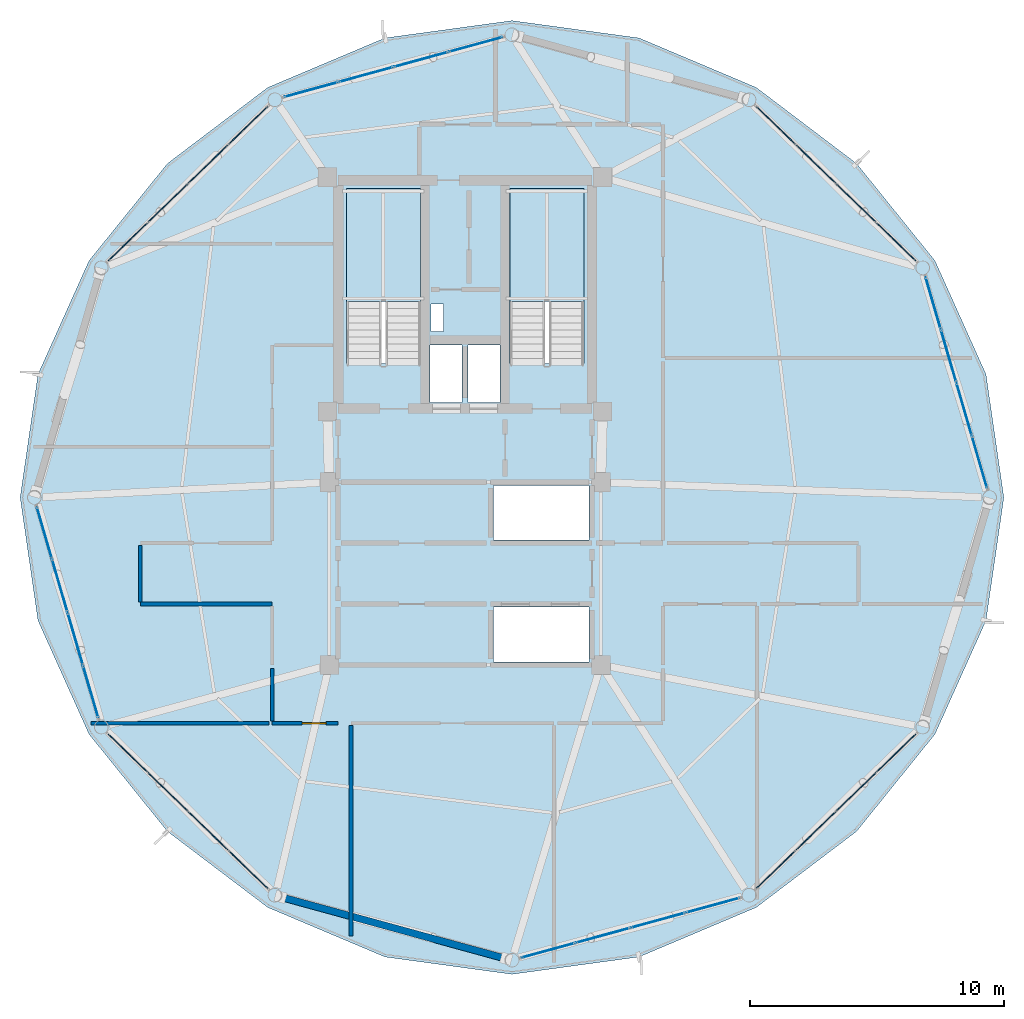
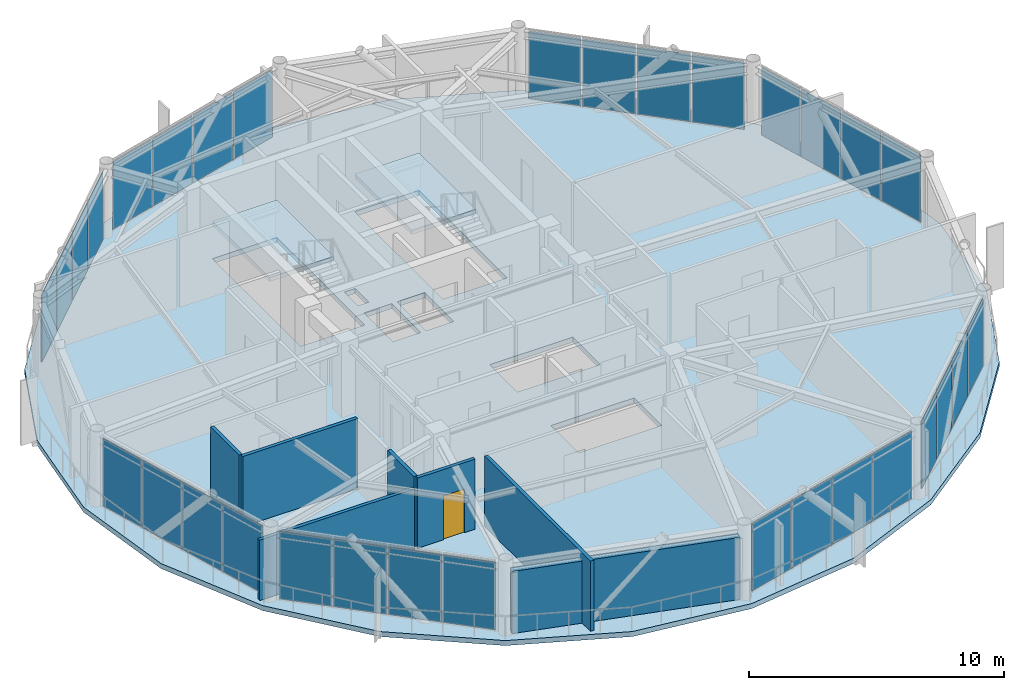
# One storey, part 21 of 27: 32 plates, 7 walls, 3 slabs, 1 door, 1 opening, 10 elements without a shape of their own.
"""IFC4 building model written with IfcOpenShell, lengths in metres."""

from ifc_helpers import new_model, si_unit, direction, frame, frame_2d, origin, origin_2d, place, context, subcontext, project, spatial, polyline, rectangle, outline, extrude, source, transform, mapped, material, layer, layer_set, type_object, type_shapes, element, fill, aggregate, save


model = new_model("IFC4")

# Units and contexts
model_context = context("Model", 3, precision=1e-05, world=origin(), true_north=direction((0.0, 1.0)))
body_context = subcontext(model_context, "Body", "Model", "MODEL_VIEW")
ifc_project = project(units=[si_unit("LENGTHUNIT", "METRE"), si_unit("AREAUNIT", "SQUARE_METRE"), si_unit("VOLUMEUNIT", "CUBIC_METRE"), si_unit("PLANEANGLEUNIT", "RADIAN"), si_unit("MASSUNIT", "GRAM", prefix="KILO")], contexts=[model_context])

# Site, building, storey
site_placement = place(None, origin())
site = spatial("IfcSite", under=ifc_project, at=site_placement, CompositionType="ELEMENT")
building_placement = place(site_placement, origin())
building = spatial("IfcBuilding", under=site, at=building_placement, Name="Varnakorn Sky Granary", CompositionType="ELEMENT")
storey_placement = place(building_placement, frame((0.0, 0.0, 229.199951171875)))
storey = spatial("IfcBuildingStorey", under=building, at=storey_placement, Name="L58", CompositionType="ELEMENT", Elevation=229.199951171875)

# Stair, slab
ifc_material_1 = material(Name="Concrete C40/50", Category="concrete")
stair_type = type_object("IfcStairType", Name="ST-MAIN-ASSEMBLY", PredefinedType="HALF_TURN_STAIR", material=ifc_material_1)
stair_1_placement = place(storey_placement, origin())
stair_1 = element("IfcStair", 1, at=stair_1_placement, inside=storey, type_object=stair_type, Name="L58 Protected Exit Stair ST-1", PredefinedType="HALF_TURN_STAIR")
ifc_layer_1 = layer(ifc_material_1, 0.199951171875, Name="Concrete C40/50")
ifc_layer_set_1 = layer_set([ifc_layer_1], Name="Concrete C40/50")
slab_type_1 = type_object("IfcSlabType", Name="ST-MAIN-LAND", PredefinedType="LANDING", material=ifc_layer_set_1)
slab_1_placement = place(storey_placement, frame((0.0, 0.0, 1.60009765625)))
slab_1 = element("IfcSlab", 2, at=slab_1_placement, type_object=slab_type_1, Name="ST-1 landing 1", PredefinedType="LANDING", context=body_context, shape_type="SweptSolid", body=[
    extrude(outline(polyline([(1.239990234375, 7.719970703125), (1.239990234375, 12.179931640625), (-1.669921875, 12.179931640625), (-1.669921875, 7.719970703125), (1.239990234375, 7.719970703125)])), origin(), (0.0, 0.0, 1.0), 0.199951171875),
])
aggregate(stair_1, [slab_1])

stair_2_placement = place(storey_placement, origin())
stair_2 = element("IfcStair", 3, at=stair_2_placement, inside=storey, type_object=stair_type, Name="L58 Protected Exit Stair ST-2", PredefinedType="HALF_TURN_STAIR")
slab_2_placement = place(storey_placement, frame((0.0, 0.0, 1.60009765625)))
slab_2 = element("IfcSlab", 4, at=slab_2_placement, type_object=slab_type_1, Name="ST-2 landing 1", PredefinedType="LANDING", context=body_context, shape_type="SweptSolid", body=[
    extrude(outline(polyline([(7.679931640625, 7.719970703125), (7.679931640625, 12.179931640625), (4.77001953125, 12.179931640625), (4.77001953125, 7.719970703125), (7.679931640625, 7.719970703125)])), origin(), (0.0, 0.0, 1.0), 0.199951171875),
])
aggregate(stair_2, [slab_2])

# Slab
ifc_material_2 = material(Name="Concrete C50/60", Category="concrete")
ifc_layer_2 = layer(ifc_material_2, 0.239990234375, Name="Concrete C50/60")
ifc_layer_set_2 = layer_set([ifc_layer_2], Name="Concrete C50/60")
slab_type_2 = type_object("IfcSlabType", Name="ST-SL-TWR-240", PredefinedType="FLOOR", material=ifc_layer_set_2)
slab_3_placement = place(storey_placement, frame((0.0, 0.0, -0.239990234375)))
element("IfcSlab", 5, at=slab_3_placement, inside=storey, type_object=slab_type_2, Name="Level L58 Structural Floor Slab", PredefinedType="FLOOR", context=body_context, shape_type="SweptSolid", body=[
    extrude(outline(polyline([(24.23388671875, 0.0), (23.530029296875, 4.85205078125), (21.52001953125, 9.32861328125), (18.42919921875, 13.16064453125), (14.474609375, 16.157470703125), (9.855224609375, 18.108154296875), (4.85009765625, 18.7919921875), (-0.1552734375, 18.108154296875), (-4.7744140625, 16.157470703125), (-8.729248046875, 13.16064453125), (-11.820068359375, 9.32861328125), (-13.830078125, 4.85205078125), (-14.533935546875, 0.0), (-13.830078125, -4.85205078125), (-11.820068359375, -9.32861328125), (-8.729248046875, -13.16064453125), (-4.7744140625, -16.157470703125), (-0.1552734375, -18.108154296875), (4.85009765625, -18.7919921875), (9.855224609375, -18.108154296875), (14.474609375, -16.157470703125), (18.42919921875, -13.16064453125), (21.52001953125, -9.32861328125), (23.530029296875, -4.85205078125), (24.23388671875, 0.0)]), holes=[polyline([(1.239990234375, 5.27490234375), (1.239990234375, 12.179931640625), (-1.669921875, 12.179931640625), (-1.669921875, 5.27490234375), (1.239990234375, 5.27490234375)]), polyline([(7.679931640625, 5.27490234375), (7.679931640625, 12.179931640625), (4.77001953125, 12.179931640625), (4.77001953125, 5.27490234375), (7.679931640625, 5.27490234375)]), polyline([(1.659912109375, 6.550048828125), (2.14990234375, 6.550048828125), (2.14990234375, 7.6201171875), (1.659912109375, 7.6201171875), (1.659912109375, 6.550048828125)]), polyline([(1.6201171875, 3.739990234375), (2.8798828125, 3.739990234375), (2.8798828125, 6.010009765625), (1.6201171875, 6.010009765625), (1.6201171875, 3.739990234375)]), polyline([(3.1201171875, 3.739990234375), (4.3798828125, 3.739990234375), (4.3798828125, 6.010009765625), (3.1201171875, 6.010009765625), (3.1201171875, 3.739990234375)]), polyline([(4.1201171875, -1.679931640625), (7.8798828125, -1.679931640625), (7.8798828125, 0.47998046875), (4.1201171875, 0.47998046875), (4.1201171875, -1.679931640625)]), polyline([(4.1201171875, -6.47998046875), (7.8798828125, -6.47998046875), (7.8798828125, -4.320068359375), (4.1201171875, -4.320068359375), (4.1201171875, -6.47998046875)])]), origin(), (0.0, 0.0, 1.0), 0.239990234375),
])

# Curtain wall, plates
ifc_material_3 = material(Name="Anodised Bronze Aluminium Alloy 6063-T6", Category="aluminium")
ifc_layer_3 = layer(ifc_material_3, 0.169921875, Name="Anodised Bronze Aluminium Alloy 6063-T6")
ifc_layer_set_3 = layer_set([ifc_layer_3], Name="Anodised Bronze Aluminium Alloy 6063-T6")
curtain_wall_type = type_object("IfcCurtainWallType", Name="CW-LAB-1", PredefinedType="USERDEFINED", material=ifc_layer_set_3)
curtain_wall_1_placement = place(storey_placement, origin())
curtain_wall_1 = element("IfcCurtainWall", 6, at=curtain_wall_1_placement, inside=storey, type_object=curtain_wall_type, Name="Unitised Curtain Wall CW5 CW-L58-B04", ObjectType="CURTAIN WALL", PredefinedType="USERDEFINED")
ifc_material_4 = material(Name="Low-E Tinted Laminated Glass", Category="glass")
ifc_layer_4 = layer(ifc_material_4, 0.033935546875, Name="Low-E Tinted Laminated Glass")
ifc_layer_set_4 = layer_set([ifc_layer_4], Name="Low-E Tinted Laminated Glass")
plate_type = type_object("IfcPlateType", Name="CW-LAB-1-PNL", PredefinedType="CURTAIN_PANEL")
shared_shape_1 = source(origin(), body_context, "Body", "SweptSolid", [
    extrude(rectangle(XDim=2.15625, YDim=0.033935546875, at=origin_2d()), origin(), (0.0, 0.0, 1.0), 3.219970703125),
])
plate_1_placement = place(storey_placement, frame((-3.069580078125, 16.07275390625, 0.06982421875), z_axis=(0.0, 0.0, 1.0), x_axis=(0.964475517267, 0.264172247962, 0.0)))
plate_1 = element("IfcPlate", 7, at=plate_1_placement, type_object=plate_type, material=ifc_layer_set_4, Name="CW5 vision glazing unit 1.1", PredefinedType="CURTAIN_PANEL", context=body_context, shape_type="MappedRepresentation", body=[
    mapped(shared_shape_1, transform((0.0, 0.0, 0.0), x_axis=(1.0, 0.0, 0.0), y_axis=(0.0, 1.0, 0.0), z_axis=(0.0, 0.0, 1.0), scale=1.0)),
])
plate_2_placement = place(storey_placement, frame((3.420166015625, 17.850341796875, 0.06982421875), z_axis=(0.0, 0.0, 1.0), x_axis=(0.964475517267, 0.264172247962, 0.0)))
plate_2 = element("IfcPlate", 8, at=plate_2_placement, type_object=plate_type, material=ifc_layer_set_4, Name="CW5 vision glazing unit 4.1", PredefinedType="CURTAIN_PANEL", context=body_context, shape_type="MappedRepresentation", body=[
    mapped(shared_shape_1, transform((0.0, 0.0, 0.0), x_axis=(1.0, 0.0, 0.0), y_axis=(0.0, 1.0, 0.0), z_axis=(0.0, 0.0, 1.0), scale=1.0)),
])

curtain_wall_2_placement = place(storey_placement, origin())
curtain_wall_2 = element("IfcCurtainWall", 9, at=curtain_wall_2_placement, inside=storey, type_object=curtain_wall_type, Name="Unitised Curtain Wall CW5 CW-L58-B10", ObjectType="CURTAIN WALL", PredefinedType="USERDEFINED")
plate_3_placement = place(storey_placement, frame((12.76953125, -16.07275390625, 0.06982421875), z_axis=(0.0, 0.0, 1.0), x_axis=(-0.964475517267, -0.264172247962, 0.0)))
plate_3 = element("IfcPlate", 10, at=plate_3_placement, type_object=plate_type, material=ifc_layer_set_4, Name="CW5 vision glazing unit 1.1", PredefinedType="CURTAIN_PANEL", context=body_context, shape_type="MappedRepresentation", body=[
    mapped(shared_shape_1, transform((0.0, 0.0, 0.0), x_axis=(1.0, 0.0, 0.0), y_axis=(0.0, 1.0, 0.0), z_axis=(0.0, 0.0, 1.0), scale=1.0)),
])
plate_4_placement = place(storey_placement, frame((6.280029296875, -17.850341796875, 0.06982421875), z_axis=(0.0, 0.0, 1.0), x_axis=(-0.964475517267, -0.264172247962, 0.0)))
plate_4 = element("IfcPlate", 11, at=plate_4_placement, type_object=plate_type, material=ifc_layer_set_4, Name="CW5 vision glazing unit 4.1", PredefinedType="CURTAIN_PANEL", context=body_context, shape_type="MappedRepresentation", body=[
    mapped(shared_shape_1, transform((0.0, 0.0, 0.0), x_axis=(1.0, 0.0, 0.0), y_axis=(0.0, 1.0, 0.0), z_axis=(0.0, 0.0, 1.0), scale=1.0)),
])

# Plate
ifc_material_5 = material(Name="Opaque Insulated Aluminium Shadow-Box Unit", Category="aluminium")
ifc_layer_5 = layer(ifc_material_5, 0.033935546875, Name="Opaque Insulated Aluminium Shadow-Box Unit")
ifc_layer_set_5 = layer_set([ifc_layer_5], Name="Opaque Insulated Aluminium Shadow-Box Unit")
shared_shape_2 = source(origin(), body_context, "Body", "SweptSolid", [
    extrude(rectangle(XDim=2.188720703125, YDim=0.033935546875, at=origin_2d()), origin(), (0.0, 0.0, 1.0), 3.219970703125),
])
plate_5_placement = place(storey_placement, frame((-0.91162109375, 16.663818359375, 0.06982421875), z_axis=(0.0, 0.0, 1.0), x_axis=(0.964475517267, 0.264172247962, 0.0)))
plate_5 = element("IfcPlate", 12, at=plate_5_placement, type_object=plate_type, material=ifc_layer_set_5, Name="CW5 opaque insulated shadow-box unit 2.1", PredefinedType="CURTAIN_PANEL", context=body_context, shape_type="MappedRepresentation", body=[
    mapped(shared_shape_2, transform((0.0, 0.0, 0.0), x_axis=(1.0, 0.0, 0.0), y_axis=(0.0, 1.0, 0.0), z_axis=(0.0, 0.0, 1.0), scale=1.0)),
])

plate_6_placement = place(storey_placement, frame((1.26220703125, 17.25927734375, 0.06982421875), z_axis=(0.0, 0.0, 1.0), x_axis=(0.964475517267, 0.264172247962, 0.0)))
plate_6 = element("IfcPlate", 13, at=plate_6_placement, type_object=plate_type, material=ifc_layer_set_5, Name="CW5 opaque insulated shadow-box unit 3.1", PredefinedType="CURTAIN_PANEL", context=body_context, shape_type="MappedRepresentation", body=[
    mapped(shared_shape_2, transform((0.0, 0.0, 0.0), x_axis=(1.0, 0.0, 0.0), y_axis=(0.0, 1.0, 0.0), z_axis=(0.0, 0.0, 1.0), scale=1.0)),
])

aggregate(curtain_wall_1, [plate_1, plate_5, plate_6, plate_2])

plate_7_placement = place(storey_placement, frame((10.611572265625, -16.663818359375, 0.06982421875), z_axis=(0.0, 0.0, 1.0), x_axis=(-0.964475517267, -0.264172247962, 0.0)))
plate_7 = element("IfcPlate", 14, at=plate_7_placement, type_object=plate_type, material=ifc_layer_set_5, Name="CW5 opaque insulated shadow-box unit 2.1", PredefinedType="CURTAIN_PANEL", context=body_context, shape_type="MappedRepresentation", body=[
    mapped(shared_shape_2, transform((0.0, 0.0, 0.0), x_axis=(1.0, 0.0, 0.0), y_axis=(0.0, 1.0, 0.0), z_axis=(0.0, 0.0, 1.0), scale=1.0)),
])

plate_8_placement = place(storey_placement, frame((8.43798828125, -17.25927734375, 0.06982421875), z_axis=(0.0, 0.0, 1.0), x_axis=(-0.964475517267, -0.264172247962, 0.0)))
plate_8 = element("IfcPlate", 15, at=plate_8_placement, type_object=plate_type, material=ifc_layer_set_5, Name="CW5 opaque insulated shadow-box unit 3.1", PredefinedType="CURTAIN_PANEL", context=body_context, shape_type="MappedRepresentation", body=[
    mapped(shared_shape_2, transform((0.0, 0.0, 0.0), x_axis=(1.0, 0.0, 0.0), y_axis=(0.0, 1.0, 0.0), z_axis=(0.0, 0.0, 1.0), scale=1.0)),
])

aggregate(curtain_wall_2, [plate_3, plate_7, plate_8, plate_4])

# Curtain wall, plates
curtain_wall_3_placement = place(storey_placement, origin())
curtain_wall_3 = element("IfcCurtainWall", 16, at=curtain_wall_3_placement, inside=storey, type_object=curtain_wall_type, Name="Unitised Curtain Wall CW5 CW-L58-B01", ObjectType="CURTAIN WALL", PredefinedType="USERDEFINED")
shared_shape_3 = source(origin(), body_context, "Body", "SweptSolid", [
    extrude(rectangle(XDim=2.09033203125, YDim=0.033935546875, at=origin_2d()), origin(), (0.0, 0.0, 1.0), 3.219970703125),
])
plate_9_placement = place(storey_placement, frame((21.44970703125, 7.661865234375, 0.06982421875), z_axis=(0.0, 0.0, 1.0), x_axis=(0.27996884701, -0.96000908574, 0.0)))
plate_9 = element("IfcPlate", 17, at=plate_9_placement, type_object=plate_type, material=ifc_layer_set_4, Name="CW5 vision glazing unit 1.1", PredefinedType="CURTAIN_PANEL", context=body_context, shape_type="MappedRepresentation", body=[
    mapped(shared_shape_3, transform((0.0, 0.0, 0.0), x_axis=(1.0, 0.0, 0.0), y_axis=(0.0, 1.0, 0.0), z_axis=(0.0, 0.0, 1.0), scale=1.0)),
])
plate_10_placement = place(storey_placement, frame((23.278076171875, 1.3916015625, 0.06982421875), z_axis=(0.0, 0.0, 1.0), x_axis=(0.27996884701, -0.96000908574, 0.0)))
plate_10 = element("IfcPlate", 18, at=plate_10_placement, type_object=plate_type, material=ifc_layer_set_4, Name="CW5 vision glazing unit 4.1", PredefinedType="CURTAIN_PANEL", context=body_context, shape_type="MappedRepresentation", body=[
    mapped(shared_shape_3, transform((0.0, 0.0, 0.0), x_axis=(1.0, 0.0, 0.0), y_axis=(0.0, 1.0, 0.0), z_axis=(0.0, 0.0, 1.0), scale=1.0)),
])

curtain_wall_4_placement = place(storey_placement, origin())
curtain_wall_4 = element("IfcCurtainWall", 19, at=curtain_wall_4_placement, inside=storey, type_object=curtain_wall_type, Name="Unitised Curtain Wall CW5 CW-L58-B07", ObjectType="CURTAIN WALL", PredefinedType="USERDEFINED")
plate_11_placement = place(storey_placement, frame((-11.74951171875, -7.661865234375, 0.06982421875), z_axis=(0.0, 0.0, 1.0), x_axis=(-0.27996884701, 0.96000908574, 0.0)))
plate_11 = element("IfcPlate", 20, at=plate_11_placement, type_object=plate_type, material=ifc_layer_set_4, Name="CW5 vision glazing unit 1.1", PredefinedType="CURTAIN_PANEL", context=body_context, shape_type="MappedRepresentation", body=[
    mapped(shared_shape_3, transform((0.0, 0.0, 0.0), x_axis=(1.0, 0.0, 0.0), y_axis=(0.0, 1.0, 0.0), z_axis=(0.0, 0.0, 1.0), scale=1.0)),
])
plate_12_placement = place(storey_placement, frame((-13.578125, -1.3916015625, 0.06982421875), z_axis=(0.0, 0.0, 1.0), x_axis=(-0.27996884701, 0.96000908574, 0.0)))
plate_12 = element("IfcPlate", 21, at=plate_12_placement, type_object=plate_type, material=ifc_layer_set_4, Name="CW5 vision glazing unit 4.1", PredefinedType="CURTAIN_PANEL", context=body_context, shape_type="MappedRepresentation", body=[
    mapped(shared_shape_3, transform((0.0, 0.0, 0.0), x_axis=(1.0, 0.0, 0.0), y_axis=(0.0, 1.0, 0.0), z_axis=(0.0, 0.0, 1.0), scale=1.0)),
])

# Plate
shared_shape_4 = source(origin(), body_context, "Body", "SweptSolid", [
    extrude(rectangle(XDim=2.122802734375, YDim=0.033935546875, at=origin_2d()), origin(), (0.0, 0.0, 1.0), 3.219970703125),
])
plate_13_placement = place(storey_placement, frame((22.0576171875, 5.576904296875, 0.06982421875), z_axis=(0.0, 0.0, 1.0), x_axis=(0.27996884701, -0.96000908574, 0.0)))
plate_13 = element("IfcPlate", 22, at=plate_13_placement, type_object=plate_type, material=ifc_layer_set_5, Name="CW5 opaque insulated shadow-box unit 2.1", PredefinedType="CURTAIN_PANEL", context=body_context, shape_type="MappedRepresentation", body=[
    mapped(shared_shape_4, transform((0.0, 0.0, 0.0), x_axis=(1.0, 0.0, 0.0), y_axis=(0.0, 1.0, 0.0), z_axis=(0.0, 0.0, 1.0), scale=1.0)),
])

plate_14_placement = place(storey_placement, frame((22.670166015625, 3.4765625, 0.06982421875), z_axis=(0.0, 0.0, 1.0), x_axis=(0.27996884701, -0.96000908574, 0.0)))
plate_14 = element("IfcPlate", 23, at=plate_14_placement, type_object=plate_type, material=ifc_layer_set_5, Name="CW5 opaque insulated shadow-box unit 3.1", PredefinedType="CURTAIN_PANEL", context=body_context, shape_type="MappedRepresentation", body=[
    mapped(shared_shape_4, transform((0.0, 0.0, 0.0), x_axis=(1.0, 0.0, 0.0), y_axis=(0.0, 1.0, 0.0), z_axis=(0.0, 0.0, 1.0), scale=1.0)),
])

aggregate(curtain_wall_3, [plate_9, plate_13, plate_14, plate_10])

plate_15_placement = place(storey_placement, frame((-12.357666015625, -5.576904296875, 0.06982421875), z_axis=(0.0, 0.0, 1.0), x_axis=(-0.27996884701, 0.96000908574, 0.0)))
plate_15 = element("IfcPlate", 24, at=plate_15_placement, type_object=plate_type, material=ifc_layer_set_5, Name="CW5 opaque insulated shadow-box unit 2.1", PredefinedType="CURTAIN_PANEL", context=body_context, shape_type="MappedRepresentation", body=[
    mapped(shared_shape_4, transform((0.0, 0.0, 0.0), x_axis=(1.0, 0.0, 0.0), y_axis=(0.0, 1.0, 0.0), z_axis=(0.0, 0.0, 1.0), scale=1.0)),
])

plate_16_placement = place(storey_placement, frame((-12.97021484375, -3.4765625, 0.06982421875), z_axis=(0.0, 0.0, 1.0), x_axis=(-0.27996884701, 0.96000908574, 0.0)))
plate_16 = element("IfcPlate", 25, at=plate_16_placement, type_object=plate_type, material=ifc_layer_set_5, Name="CW5 opaque insulated shadow-box unit 3.1", PredefinedType="CURTAIN_PANEL", context=body_context, shape_type="MappedRepresentation", body=[
    mapped(shared_shape_4, transform((0.0, 0.0, 0.0), x_axis=(1.0, 0.0, 0.0), y_axis=(0.0, 1.0, 0.0), z_axis=(0.0, 0.0, 1.0), scale=1.0)),
])

aggregate(curtain_wall_4, [plate_11, plate_15, plate_16, plate_12])

# Curtain wall, plates
curtain_wall_5_placement = place(storey_placement, origin())
curtain_wall_5 = element("IfcCurtainWall", 26, at=curtain_wall_5_placement, inside=storey, type_object=curtain_wall_type, Name="Unitised Curtain Wall CW5 CW-L58-B02", ObjectType="CURTAIN WALL", PredefinedType="USERDEFINED")
shared_shape_5 = source(origin(), body_context, "Body", "SweptSolid", [
    extrude(rectangle(XDim=2.114501953125, YDim=0.033935546875, at=origin_2d()), origin(), (0.0, 0.0, 1.0), 3.219970703125),
])
plate_17_placement = place(storey_placement, frame((15.249755859375, 14.664306640625, 0.06982421875), z_axis=(0.0, 0.0, 1.0), x_axis=(0.718390407195, -0.695640153276, 0.0)))
plate_17 = element("IfcPlate", 27, at=plate_17_placement, type_object=plate_type, material=ifc_layer_set_4, Name="CW5 vision glazing unit 1.1", PredefinedType="CURTAIN_PANEL", context=body_context, shape_type="MappedRepresentation", body=[
    mapped(shared_shape_5, transform((0.0, 0.0, 0.0), x_axis=(1.0, 0.0, 0.0), y_axis=(0.0, 1.0, 0.0), z_axis=(0.0, 0.0, 1.0), scale=1.0)),
])
plate_18_placement = place(storey_placement, frame((19.99365234375, 10.0703125, 0.06982421875), z_axis=(0.0, 0.0, 1.0), x_axis=(0.718390407195, -0.695640153276, 0.0)))
plate_18 = element("IfcPlate", 28, at=plate_18_placement, type_object=plate_type, material=ifc_layer_set_4, Name="CW5 vision glazing unit 4.1", PredefinedType="CURTAIN_PANEL", context=body_context, shape_type="MappedRepresentation", body=[
    mapped(shared_shape_5, transform((0.0, 0.0, 0.0), x_axis=(1.0, 0.0, 0.0), y_axis=(0.0, 1.0, 0.0), z_axis=(0.0, 0.0, 1.0), scale=1.0)),
])

curtain_wall_6_placement = place(storey_placement, origin())
curtain_wall_6 = element("IfcCurtainWall", 29, at=curtain_wall_6_placement, inside=storey, type_object=curtain_wall_type, Name="Unitised Curtain Wall CW5 CW-L58-B05", ObjectType="CURTAIN WALL", PredefinedType="USERDEFINED")
plate_19_placement = place(storey_placement, frame((-10.293701171875, 10.0703125, 0.06982421875), z_axis=(0.0, 0.0, 1.0), x_axis=(0.718390407195, 0.695640153276, 0.0)))
plate_19 = element("IfcPlate", 30, at=plate_19_placement, type_object=plate_type, material=ifc_layer_set_4, Name="CW5 vision glazing unit 1.1", PredefinedType="CURTAIN_PANEL", context=body_context, shape_type="MappedRepresentation", body=[
    mapped(shared_shape_5, transform((0.0, 0.0, 0.0), x_axis=(1.0, 0.0, 0.0), y_axis=(0.0, 1.0, 0.0), z_axis=(0.0, 0.0, 1.0), scale=1.0)),
])
plate_20_placement = place(storey_placement, frame((-5.549560546875, 14.664306640625, 0.06982421875), z_axis=(0.0, 0.0, 1.0), x_axis=(0.718390407195, 0.695640153276, 0.0)))
plate_20 = element("IfcPlate", 31, at=plate_20_placement, type_object=plate_type, material=ifc_layer_set_4, Name="CW5 vision glazing unit 4.1", PredefinedType="CURTAIN_PANEL", context=body_context, shape_type="MappedRepresentation", body=[
    mapped(shared_shape_5, transform((0.0, 0.0, 0.0), x_axis=(1.0, 0.0, 0.0), y_axis=(0.0, 1.0, 0.0), z_axis=(0.0, 0.0, 1.0), scale=1.0)),
])

curtain_wall_7_placement = place(storey_placement, origin())
curtain_wall_7 = element("IfcCurtainWall", 32, at=curtain_wall_7_placement, inside=storey, type_object=curtain_wall_type, Name="Unitised Curtain Wall CW5 CW-L58-B08", ObjectType="CURTAIN WALL", PredefinedType="USERDEFINED")
plate_21_placement = place(storey_placement, frame((-5.549560546875, -14.664306640625, 0.06982421875), z_axis=(0.0, 0.0, 1.0), x_axis=(-0.718390407195, 0.695640153276, 0.0)))
plate_21 = element("IfcPlate", 33, at=plate_21_placement, type_object=plate_type, material=ifc_layer_set_4, Name="CW5 vision glazing unit 1.1", PredefinedType="CURTAIN_PANEL", context=body_context, shape_type="MappedRepresentation", body=[
    mapped(shared_shape_5, transform((0.0, 0.0, 0.0), x_axis=(1.0, 0.0, 0.0), y_axis=(0.0, 1.0, 0.0), z_axis=(0.0, 0.0, 1.0), scale=1.0)),
])
plate_22_placement = place(storey_placement, frame((-10.293701171875, -10.0703125, 0.06982421875), z_axis=(0.0, 0.0, 1.0), x_axis=(-0.718390407195, 0.695640153276, 0.0)))
plate_22 = element("IfcPlate", 34, at=plate_22_placement, type_object=plate_type, material=ifc_layer_set_4, Name="CW5 vision glazing unit 4.1", PredefinedType="CURTAIN_PANEL", context=body_context, shape_type="MappedRepresentation", body=[
    mapped(shared_shape_5, transform((0.0, 0.0, 0.0), x_axis=(1.0, 0.0, 0.0), y_axis=(0.0, 1.0, 0.0), z_axis=(0.0, 0.0, 1.0), scale=1.0)),
])

curtain_wall_8_placement = place(storey_placement, origin())
curtain_wall_8 = element("IfcCurtainWall", 35, at=curtain_wall_8_placement, inside=storey, type_object=curtain_wall_type, Name="Unitised Curtain Wall CW5 CW-L58-B11", ObjectType="CURTAIN WALL", PredefinedType="USERDEFINED")
plate_23_placement = place(storey_placement, frame((19.99365234375, -10.0703125, 0.06982421875), z_axis=(0.0, 0.0, 1.0), x_axis=(-0.718390407195, -0.695640153276, 0.0)))
plate_23 = element("IfcPlate", 36, at=plate_23_placement, type_object=plate_type, material=ifc_layer_set_4, Name="CW5 vision glazing unit 1.1", PredefinedType="CURTAIN_PANEL", context=body_context, shape_type="MappedRepresentation", body=[
    mapped(shared_shape_5, transform((0.0, 0.0, 0.0), x_axis=(1.0, 0.0, 0.0), y_axis=(0.0, 1.0, 0.0), z_axis=(0.0, 0.0, 1.0), scale=1.0)),
])
plate_24_placement = place(storey_placement, frame((15.249755859375, -14.664306640625, 0.06982421875), z_axis=(0.0, 0.0, 1.0), x_axis=(-0.718390407195, -0.695640153276, 0.0)))
plate_24 = element("IfcPlate", 37, at=plate_24_placement, type_object=plate_type, material=ifc_layer_set_4, Name="CW5 vision glazing unit 4.1", PredefinedType="CURTAIN_PANEL", context=body_context, shape_type="MappedRepresentation", body=[
    mapped(shared_shape_5, transform((0.0, 0.0, 0.0), x_axis=(1.0, 0.0, 0.0), y_axis=(0.0, 1.0, 0.0), z_axis=(0.0, 0.0, 1.0), scale=1.0)),
])

# Plate
shared_shape_6 = source(origin(), body_context, "Body", "SweptSolid", [
    extrude(rectangle(XDim=2.14697265625, YDim=0.033935546875, at=origin_2d()), origin(), (0.0, 0.0, 1.0), 3.219970703125),
])
type_shapes(plate_type, [shared_shape_1, shared_shape_2, shared_shape_3, shared_shape_4, shared_shape_5, shared_shape_6])
plate_25_placement = place(storey_placement, frame((16.8271484375, 13.13671875, 0.06982421875), z_axis=(0.0, 0.0, 1.0), x_axis=(0.718390407195, -0.695640153276, 0.0)))
plate_25 = element("IfcPlate", 38, at=plate_25_placement, type_object=plate_type, material=ifc_layer_set_5, Name="CW5 opaque insulated shadow-box unit 2.1", PredefinedType="CURTAIN_PANEL", context=body_context, shape_type="MappedRepresentation", body=[
    mapped(shared_shape_6, transform((0.0, 0.0, 0.0), x_axis=(1.0, 0.0, 0.0), y_axis=(0.0, 1.0, 0.0), z_axis=(0.0, 0.0, 1.0), scale=1.0)),
])

plate_26_placement = place(storey_placement, frame((18.416259765625, 11.597900390625, 0.06982421875), z_axis=(0.0, 0.0, 1.0), x_axis=(0.718390407195, -0.695640153276, 0.0)))
plate_26 = element("IfcPlate", 39, at=plate_26_placement, type_object=plate_type, material=ifc_layer_set_5, Name="CW5 opaque insulated shadow-box unit 3.1", PredefinedType="CURTAIN_PANEL", context=body_context, shape_type="MappedRepresentation", body=[
    mapped(shared_shape_6, transform((0.0, 0.0, 0.0), x_axis=(1.0, 0.0, 0.0), y_axis=(0.0, 1.0, 0.0), z_axis=(0.0, 0.0, 1.0), scale=1.0)),
])

aggregate(curtain_wall_5, [plate_17, plate_25, plate_26, plate_18])

plate_27_placement = place(storey_placement, frame((-8.71630859375, 11.597900390625, 0.06982421875), z_axis=(0.0, 0.0, 1.0), x_axis=(0.718390407195, 0.695640153276, 0.0)))
plate_27 = element("IfcPlate", 40, at=plate_27_placement, type_object=plate_type, material=ifc_layer_set_5, Name="CW5 opaque insulated shadow-box unit 2.1", PredefinedType="CURTAIN_PANEL", context=body_context, shape_type="MappedRepresentation", body=[
    mapped(shared_shape_6, transform((0.0, 0.0, 0.0), x_axis=(1.0, 0.0, 0.0), y_axis=(0.0, 1.0, 0.0), z_axis=(0.0, 0.0, 1.0), scale=1.0)),
])

plate_28_placement = place(storey_placement, frame((-7.127197265625, 13.13671875, 0.06982421875), z_axis=(0.0, 0.0, 1.0), x_axis=(0.718390407195, 0.695640153276, 0.0)))
plate_28 = element("IfcPlate", 41, at=plate_28_placement, type_object=plate_type, material=ifc_layer_set_5, Name="CW5 opaque insulated shadow-box unit 3.1", PredefinedType="CURTAIN_PANEL", context=body_context, shape_type="MappedRepresentation", body=[
    mapped(shared_shape_6, transform((0.0, 0.0, 0.0), x_axis=(1.0, 0.0, 0.0), y_axis=(0.0, 1.0, 0.0), z_axis=(0.0, 0.0, 1.0), scale=1.0)),
])

aggregate(curtain_wall_6, [plate_19, plate_27, plate_28, plate_20])

plate_29_placement = place(storey_placement, frame((-7.127197265625, -13.13671875, 0.06982421875), z_axis=(0.0, 0.0, 1.0), x_axis=(-0.718390407195, 0.695640153276, 0.0)))
plate_29 = element("IfcPlate", 42, at=plate_29_placement, type_object=plate_type, material=ifc_layer_set_5, Name="CW5 opaque insulated shadow-box unit 2.1", PredefinedType="CURTAIN_PANEL", context=body_context, shape_type="MappedRepresentation", body=[
    mapped(shared_shape_6, transform((0.0, 0.0, 0.0), x_axis=(1.0, 0.0, 0.0), y_axis=(0.0, 1.0, 0.0), z_axis=(0.0, 0.0, 1.0), scale=1.0)),
])

plate_30_placement = place(storey_placement, frame((-8.71630859375, -11.597900390625, 0.06982421875), z_axis=(0.0, 0.0, 1.0), x_axis=(-0.718390407195, 0.695640153276, 0.0)))
plate_30 = element("IfcPlate", 43, at=plate_30_placement, type_object=plate_type, material=ifc_layer_set_5, Name="CW5 opaque insulated shadow-box unit 3.1", PredefinedType="CURTAIN_PANEL", context=body_context, shape_type="MappedRepresentation", body=[
    mapped(shared_shape_6, transform((0.0, 0.0, 0.0), x_axis=(1.0, 0.0, 0.0), y_axis=(0.0, 1.0, 0.0), z_axis=(0.0, 0.0, 1.0), scale=1.0)),
])

aggregate(curtain_wall_7, [plate_21, plate_29, plate_30, plate_22])

plate_31_placement = place(storey_placement, frame((18.416259765625, -11.597900390625, 0.06982421875), z_axis=(0.0, 0.0, 1.0), x_axis=(-0.718390407195, -0.695640153276, 0.0)))
plate_31 = element("IfcPlate", 44, at=plate_31_placement, type_object=plate_type, material=ifc_layer_set_5, Name="CW5 opaque insulated shadow-box unit 2.1", PredefinedType="CURTAIN_PANEL", context=body_context, shape_type="MappedRepresentation", body=[
    mapped(shared_shape_6, transform((0.0, 0.0, 0.0), x_axis=(1.0, 0.0, 0.0), y_axis=(0.0, 1.0, 0.0), z_axis=(0.0, 0.0, 1.0), scale=1.0)),
])

plate_32_placement = place(storey_placement, frame((16.8271484375, -13.13671875, 0.06982421875), z_axis=(0.0, 0.0, 1.0), x_axis=(-0.718390407195, -0.695640153276, 0.0)))
plate_32 = element("IfcPlate", 45, at=plate_32_placement, type_object=plate_type, material=ifc_layer_set_5, Name="CW5 opaque insulated shadow-box unit 3.1", PredefinedType="CURTAIN_PANEL", context=body_context, shape_type="MappedRepresentation", body=[
    mapped(shared_shape_6, transform((0.0, 0.0, 0.0), x_axis=(1.0, 0.0, 0.0), y_axis=(0.0, 1.0, 0.0), z_axis=(0.0, 0.0, 1.0), scale=1.0)),
])

aggregate(curtain_wall_8, [plate_23, plate_31, plate_32, plate_24])

# Wall
ifc_material_6 = material(Name="Precast concrete C40/50", Category="concrete")
ifc_layer_6 = layer(ifc_material_6, 0.280029296875, Name="Precast concrete C40/50")
ifc_layer_set_6 = layer_set([ifc_layer_6], Name="Precast concrete C40/50")
wall_type_1 = type_object("IfcWallType", Name="WT-EW-CRN-280", PredefinedType="SOLIDWALL", material=ifc_layer_set_6)
wall_1_placement = place(storey_placement, frame((4.623779296875, -18.18017578125, 0.0), z_axis=(0.0, 0.0, 1.0), x_axis=(-0.964465770227, 0.264207831189, 0.0)))
element("IfcWall", 46, at=wall_1_placement, inside=storey, type_object=wall_type_1, Name="Agritech Insulated Precast Facade Wall L58-P09", PredefinedType="SOLIDWALL", context=body_context, shape_type="SweptSolid", body=[
    extrude(rectangle(XDim=9.224853515625, YDim=0.280029296875, at=frame_2d((4.6123046875, 0.0))), origin(), (0.0, 0.0, 1.0), 2.969970703125),
])

# Wall, opening, door
ifc_material_7 = material(Name="Gypsum Plasterboard on Steel Stud", Category="steel")
ifc_layer_7 = layer(ifc_material_7, 0.14990234375, Name="Gypsum Plasterboard on Steel Stud")
ifc_layer_set_7 = layer_set([ifc_layer_7], Name="Gypsum Plasterboard on Steel Stud")
wall_type_2 = type_object("IfcWallType", Name="WT-PART-150", PredefinedType="PARTITIONING", material=ifc_layer_set_7)
wall_2_placement = place(storey_placement, frame((-4.60009765625, -8.89990234375, 0.0), z_axis=(0.0, 0.0, 1.0), x_axis=(1.0, 0.0, 0.0)))
wall_2 = element("IfcWall", 47, at=wall_2_placement, inside=storey, type_object=wall_type_2, Name="Interior Partition Wall L58-021", PredefinedType="PARTITIONING", context=body_context, shape_type="SweptSolid", body=[
    extrude(rectangle(XDim=2.60009765625, YDim=0.14990234375, at=frame_2d((1.300048828125, 0.0))), origin(), (0.0, 0.0, 1.0), 3.360107421875),
])
opening_placement = place(wall_2_placement, frame((1.175048828125, 0.0, 0.0)))
opening = element("IfcOpeningElement", 48, at=opening_placement, cuts=wall_2, Name="Opening ID-95", PredefinedType="OPENING", context=body_context, shape_type="SweptSolid", body=[
    extrude(rectangle(XDim=0.949951171875, YDim=2.10009765625, at=frame_2d((0.47509765625, 1.050048828125))), frame((0.0, 0.0849609375, 0.0), z_axis=(0.0, -1.0, 0.0), x_axis=(1.0, 0.0, 0.0)), (0.0, 0.0, 1.0), 0.169921875),
])
ifc_material_8 = material(Name="Solid-Core Teak Veneer Leaf", Category="timber")
door_type = type_object("IfcDoorType", Name="DR-INT-950", OperationType="NOTDEFINED", PredefinedType="DOOR", material=ifc_material_8)
door_placement = place(opening_placement, origin())
door = element("IfcDoor", 49, at=door_placement, inside=storey, type_object=door_type, Name="Interior Door L58-021-1", OperationType="SINGLE_SWING_RIGHT", OverallHeight=2.10009765625, OverallWidth=0.949951171875, PredefinedType="DOOR", context=body_context, shape_type="SweptSolid", body=[
    extrude(rectangle(XDim=0.949951171875, YDim=2.10009765625, at=frame_2d((0.47509765625, 1.050048828125))), frame((0.0, 0.02490234375, 0.0), z_axis=(0.0, -1.0, 0.0), x_axis=(1.0, 0.0, 0.0)), (0.0, 0.0, 1.0), 0.050048828125),
])
fill(opening, door)

# Walls
wall_3_placement = place(storey_placement, frame((-1.5, -8.985107421875, 0.0), z_axis=(0.0, 0.0, 1.0), x_axis=(0.0, -1.0, 0.0)))
element("IfcWall", 50, at=wall_3_placement, inside=storey, type_object=wall_type_2, Name="Interior Partition Wall L58-035", PredefinedType="PARTITIONING", context=body_context, shape_type="SweptSolid", body=[
    extrude(rectangle(XDim=8.296875, YDim=0.14990234375, at=frame_2d((4.1484375, 0.0))), origin(), (0.0, 0.0, 1.0), 3.360107421875),
])
wall_4_placement = place(storey_placement, frame((-11.7509765625, -8.89990234375, 0.0), z_axis=(0.0, 0.0, 1.0), x_axis=(1.0, 0.0, 0.0)))
element("IfcWall", 51, at=wall_4_placement, inside=storey, type_object=wall_type_2, Name="Interior Partition Wall L58-036", PredefinedType="PARTITIONING", context=body_context, shape_type="SweptSolid", body=[
    extrude(rectangle(XDim=7.015869140625, YDim=0.14990234375, at=frame_2d((3.5078125, 0.0))), origin(), (0.0, 0.0, 1.0), 2.89208984375),
])
wall_5_placement = place(storey_placement, frame((-9.800048828125, -4.199951171875, 0.0), z_axis=(0.0, 0.0, 1.0), x_axis=(1.0, 0.0, 0.0)))
element("IfcWall", 52, at=wall_5_placement, inside=storey, type_object=wall_type_2, Name="Interior Partition Wall L58-044", PredefinedType="PARTITIONING", context=body_context, shape_type="SweptSolid", body=[
    extrude(rectangle(XDim=5.199951171875, YDim=0.14990234375, at=frame_2d((2.60009765625, 0.0))), origin(), (0.0, 0.0, 1.0), 3.360107421875),
])
wall_6_placement = place(storey_placement, frame((-9.800048828125, -1.885009765625, 0.0), z_axis=(0.0, 0.0, 1.0), x_axis=(0.0, -1.0, 0.0)))
element("IfcWall", 53, at=wall_6_placement, inside=storey, type_object=wall_type_2, Name="Interior Partition Wall L58-046", PredefinedType="PARTITIONING", context=body_context, shape_type="SweptSolid", body=[
    extrude(rectangle(XDim=2.22998046875, YDim=0.14990234375, at=frame_2d((1.114990234375, 0.0))), origin(), (0.0, 0.0, 1.0), 3.360107421875),
])
wall_7_placement = place(storey_placement, frame((-4.60009765625, -6.735107421875, 0.0), z_axis=(0.0, 0.0, 1.0), x_axis=(0.0, -1.0, 0.0)))
element("IfcWall", 54, at=wall_7_placement, inside=storey, type_object=wall_type_2, Name="Interior Partition Wall L58-048", PredefinedType="PARTITIONING", context=body_context, shape_type="SweptSolid", body=[
    extrude(rectangle(XDim=2.079833984375, YDim=0.14990234375, at=frame_2d((1.0400390625, 0.0))), origin(), (0.0, 0.0, 1.0), 3.360107421875),
])

save(model, "model.ifc")
